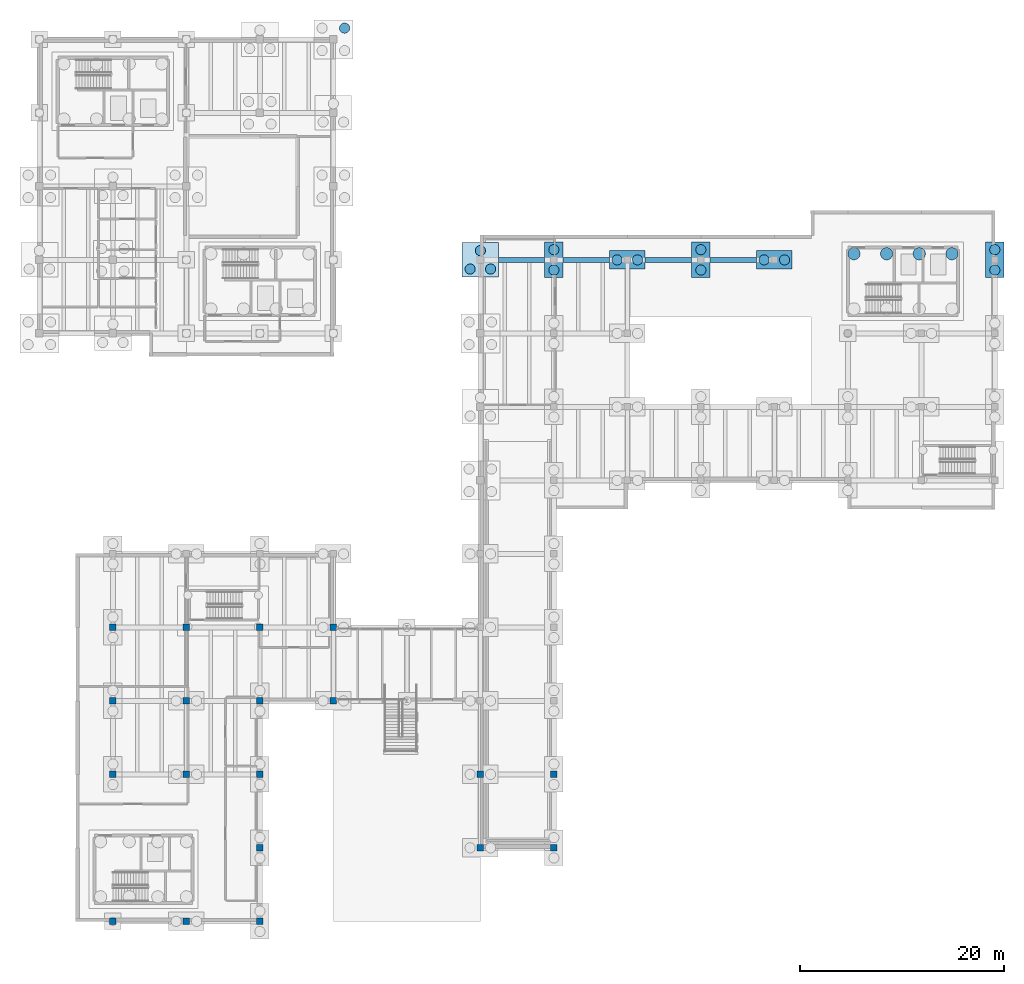
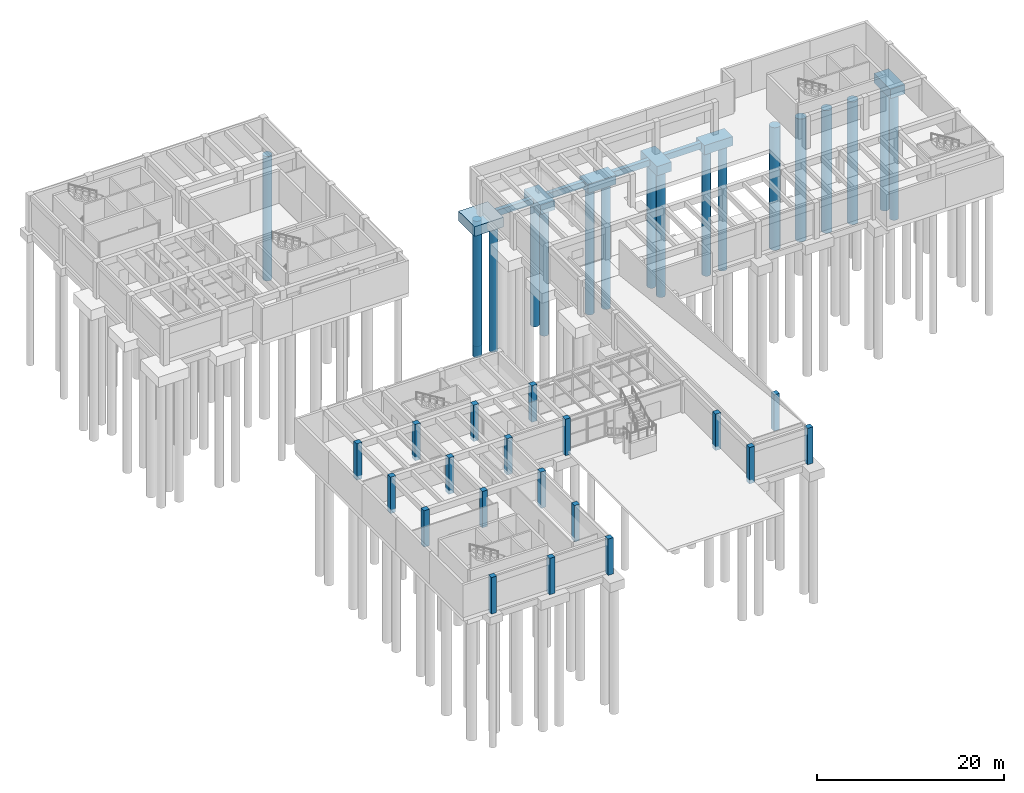
# One storey, part 4 of 28: 19 columns, 18 piles, 10 footings.
"""IFC4 building model written with IfcOpenShell, lengths in metres."""

from ifc_helpers import new_model, si_unit, direction, frame, origin, origin_2d, place, context, subcontext, project, spatial, rectangle, circle, extrude, material, material_profile, profile_set, type_object, element, save


model = new_model("IFC4")

# Units and contexts
model_context = context("Model", 3, precision=1e-05, world=origin(), true_north=direction((0.0, 1.0)))
body_context = subcontext(model_context, "Body", "Model", "MODEL_VIEW")
ifc_project = project(units=[si_unit("LENGTHUNIT", "METRE"), si_unit("AREAUNIT", "SQUARE_METRE"), si_unit("VOLUMEUNIT", "CUBIC_METRE"), si_unit("PLANEANGLEUNIT", "RADIAN"), si_unit("MASSUNIT", "GRAM", prefix="KILO")], contexts=[model_context])

# Site, building, storey
site_placement = place(None, origin())
site = spatial("IfcSite", under=ifc_project, at=site_placement, CompositionType="ELEMENT")
building_placement = place(site_placement, origin())
building = spatial("IfcBuilding", under=site, at=building_placement, Name="Bramvelor Terrace Health Centre", CompositionType="ELEMENT")
storey_placement = place(building_placement, frame((0.0, 0.0, -4.5)))
storey = spatial("IfcBuildingStorey", under=building, at=storey_placement, Name="B1", CompositionType="ELEMENT", Elevation=-4.5)

# Footings
ifc_material_1 = material(Name="Concrete C40/50", Category="concrete")
ifc_material_profile_1 = material_profile(ifc_material_1, rectangle(XDim=0.5, YDim=0.800048828125, at=origin_2d()), Name="RC 500x800")
ifc_profile_set_1 = profile_set([ifc_material_profile_1], Name="Concrete C40/50")
footing_type_1 = type_object("IfcFootingType", Name="FTG-FB-500x800", PredefinedType="FOOTING_BEAM", material=ifc_profile_set_1)
footing_1_placement = place(storey_placement, frame((45.0, 93.60009765625, -0.89990234375), z_axis=(1.0, 0.0, 0.0), x_axis=(0.0, 1.0, 0.0)))
element("IfcFooting", 1, at=footing_1_placement, inside=storey, type_object=footing_type_1, Name="B1 Ground Tie Beam X (43.2, 93.6)", PredefinedType="FOOTING_BEAM", context=body_context, shape_type="SweptSolid", body=[
    extrude(rectangle(XDim=0.5, YDim=0.800048828125, at=origin_2d()), origin(), (0.0, 0.0, 1.0), 4.5),
])
footing_2_placement = place(storey_placement, frame((51.300048828125, 93.60009765625, -0.89990234375), z_axis=(1.0, 0.0, 0.0), x_axis=(0.0, 1.0, 0.0)))
element("IfcFooting", 2, at=footing_2_placement, inside=storey, type_object=footing_type_1, Name="B1 Ground Tie Beam X (50.4, 93.6)", PredefinedType="FOOTING_BEAM", context=body_context, shape_type="SweptSolid", body=[
    extrude(rectangle(XDim=0.5, YDim=0.800048828125, at=origin_2d()), origin(), (0.0, 0.0, 1.0), 4.550048828125),
])
footing_3_placement = place(storey_placement, frame((59.35009765625, 93.60009765625, -0.89990234375), z_axis=(1.0, 0.0, 0.0), x_axis=(0.0, 1.0, 0.0)))
element("IfcFooting", 3, at=footing_3_placement, inside=storey, type_object=footing_type_1, Name="B1 Ground Tie Beam X (57.6, 93.6)", PredefinedType="FOOTING_BEAM", context=body_context, shape_type="SweptSolid", body=[
    extrude(rectangle(XDim=0.5, YDim=0.800048828125, at=origin_2d()), origin(), (0.0, 0.0, 1.0), 4.5498046875),
])
footing_4_placement = place(storey_placement, frame((65.699951171875, 93.60009765625, -0.89990234375), z_axis=(1.0, 0.0, 0.0), x_axis=(0.0, 1.0, 0.0)))
element("IfcFooting", 4, at=footing_4_placement, inside=storey, type_object=footing_type_1, Name="B1 Ground Tie Beam X (64.8, 93.6)", PredefinedType="FOOTING_BEAM", context=body_context, shape_type="SweptSolid", body=[
    extrude(rectangle(XDim=0.5, YDim=0.800048828125, at=origin_2d()), origin(), (0.0, 0.0, 1.0), 4.550048828125),
])
ifc_material_2 = material(Name="Concrete C40/50", Category="concrete")
footing_type_2 = type_object("IfcFootingType", Name="FTG-PC-2PX-1000", PredefinedType="PILE_CAP", material=ifc_material_2)
for number, where, z_axis, x_axis, name in (
    (5, (57.60009765625, 93.60009765625, -1.7001953125), (0.0, 0.0, 1.0), (1.0, 0.0, 0.0), "B1 Pile Cap (57.6, 93.6)"),
    (6, (72.0, 93.60009765625, -1.7001953125), (0.0, 0.0, 1.0), (1.0, 0.0, 0.0), "B1 Pile Cap (72.0, 93.6)"),
):
    element("IfcFooting", number, at=place(storey_placement, frame(where, z_axis=z_axis, x_axis=x_axis)), inside=storey, type_object=footing_type_2, Name=name, PredefinedType="PILE_CAP", context=body_context, shape_type="SweptSolid", body=[
        extrude(rectangle(XDim=3.5, YDim=1.800048828125, at=origin_2d()), origin(), (0.0, 0.0, 1.0), 1.199951171875),
    ])
ifc_material_3 = material(Name="Concrete C40/50", Category="concrete")
footing_type_3 = type_object("IfcFootingType", Name="FTG-PC-2PY-1000", PredefinedType="PILE_CAP", material=ifc_material_3)
for number, where, z_axis, x_axis, name in (
    (7, (50.39990234375, 93.60009765625, -1.7001953125), (0.0, 0.0, 1.0), (1.0, 0.0, 0.0), "B1 Pile Cap (50.4, 93.6)"),
    (8, (64.800048828125, 93.60009765625, -1.7001953125), (0.0, 0.0, 1.0), (1.0, 0.0, 0.0), "B1 Pile Cap (64.8, 93.6)"),
    (9, (93.60009765625, 93.60009765625, -1.7001953125), (0.0, 0.0, 1.0), (1.0, 0.0, 0.0), "B1 Pile Cap (93.6, 93.6)"),
):
    element("IfcFooting", number, at=place(storey_placement, frame(where, z_axis=z_axis, x_axis=x_axis)), inside=storey, type_object=footing_type_3, Name=name, PredefinedType="PILE_CAP", context=body_context, shape_type="SweptSolid", body=[
        extrude(rectangle(XDim=1.800048828125, YDim=3.5, at=origin_2d()), origin(), (0.0, 0.0, 1.0), 1.199951171875),
    ])
ifc_material_4 = material(Name="Concrete C40/50", Category="concrete")
footing_type_4 = type_object("IfcFootingType", Name="FTG-PC-3P-1000", PredefinedType="PILE_CAP", material=ifc_material_4)
footing_5_placement = place(storey_placement, frame((43.199951171875, 93.60009765625, -1.75), z_axis=(0.0, 0.0, 1.0), x_axis=(1.0, 0.0, 0.0)))
element("IfcFooting", 10, at=footing_5_placement, inside=storey, type_object=footing_type_4, Name="B1 Pile Cap (43.2, 93.6)", PredefinedType="PILE_CAP", context=body_context, shape_type="SweptSolid", body=[
    extrude(rectangle(XDim=3.60009765625, YDim=3.39990234375, at=origin_2d()), origin(), (0.0, 0.0, 1.0), 1.25),
])

# Piles
ifc_material_5 = material(Name="Concrete C40/50", Category="concrete")
ifc_material_profile_2 = material_profile(ifc_material_5, circle(Radius=0.5, at=origin_2d()), Name="BP D1000")
ifc_profile_set_2 = profile_set([ifc_material_profile_2], Name="Concrete C40/50")
pile_type_1 = type_object("IfcPileType", Name="PILE-BP-1000", PredefinedType="BORED", material=ifc_profile_set_2)
pile_placement = place(storey_placement, frame((29.89990234375, 116.300048828125, -1.72998046875), z_axis=(0.0, 0.0, -1.0), x_axis=(1.0, 0.0, 0.0)))
element("IfcPile", 11, at=pile_placement, inside=storey, type_object=pile_type_1, Name="B1 Bored Pile (29.9, 116.3)", PredefinedType="BORED", context=body_context, shape_type="SweptSolid", body=[
    extrude(circle(Radius=0.5, at=origin_2d()), origin(), (0.0, 0.0, 1.0), 16.27001953125),
])
for number, where, z_axis, x_axis, name in (
    (12, (42.199951171875, 92.699951171875, -1.6298828125), (0.0, 0.0, -1.0), (1.0, 0.0, 0.0), "B1 Bored Pile (42.2, 92.7)"),
    (13, (44.199951171875, 92.699951171875, -1.6298828125), (0.0, 0.0, -1.0), (1.0, 0.0, 0.0), "B1 Bored Pile (44.2, 92.7)"),
    (14, (43.199951171875, 94.5, -1.6298828125), (0.0, 0.0, -1.0), (1.0, 0.0, 0.0), "B1 Bored Pile (43.2, 94.5)"),
):
    element("IfcPile", number, at=place(storey_placement, frame(where, z_axis=z_axis, x_axis=x_axis)), inside=storey, type_object=pile_type_1, Name=name, PredefinedType="BORED", context=body_context, shape_type="SweptSolid", body=[
        extrude(circle(Radius=0.5, at=origin_2d()), origin(), (0.0, 0.0, 1.0), 16.3701171875),
    ])
for number, where, z_axis, x_axis, name in (
    (15, (50.39990234375, 92.60009765625, -1.580078125), (0.0, 0.0, -1.0), (1.0, 0.0, 0.0), "B1 Bored Pile (50.4, 92.6)"),
    (16, (50.39990234375, 94.60009765625, -1.580078125), (0.0, 0.0, -1.0), (1.0, 0.0, 0.0), "B1 Bored Pile (50.4, 94.6)"),
    (17, (56.60009765625, 93.60009765625, -1.580078125), (0.0, 0.0, -1.0), (1.0, 0.0, 0.0), "B1 Bored Pile (56.6, 93.6)"),
    (18, (58.60009765625, 93.60009765625, -1.580078125), (0.0, 0.0, -1.0), (1.0, 0.0, 0.0), "B1 Bored Pile (58.6, 93.6)"),
    (19, (64.800048828125, 92.60009765625, -1.580078125), (0.0, 0.0, -1.0), (1.0, 0.0, 0.0), "B1 Bored Pile (64.8, 92.6)"),
    (20, (64.800048828125, 94.60009765625, -1.580078125), (0.0, 0.0, -1.0), (1.0, 0.0, 0.0), "B1 Bored Pile (64.8, 94.6)"),
    (21, (71.0, 93.60009765625, -1.580078125), (0.0, 0.0, -1.0), (1.0, 0.0, 0.0), "B1 Bored Pile (71.0, 93.6)"),
    (22, (73.0, 93.60009765625, -1.580078125), (0.0, 0.0, -1.0), (1.0, 0.0, 0.0), "B1 Bored Pile (73.0, 93.6)"),
    (23, (93.60009765625, 92.60009765625, -1.580078125), (0.0, 0.0, -1.0), (1.0, 0.0, 0.0), "B1 Bored Pile (93.6, 92.6)"),
    (24, (93.60009765625, 94.60009765625, -1.580078125), (0.0, 0.0, -1.0), (1.0, 0.0, 0.0), "B1 Bored Pile (93.6, 94.6)"),
):
    element("IfcPile", number, at=place(storey_placement, frame(where, z_axis=z_axis, x_axis=x_axis)), inside=storey, type_object=pile_type_1, Name=name, PredefinedType="BORED", context=body_context, shape_type="SweptSolid", body=[
        extrude(circle(Radius=0.5, at=origin_2d()), origin(), (0.0, 0.0, 1.0), 16.419921875),
    ])
ifc_material_6 = material(Name="Concrete C40/50", Category="concrete")
ifc_material_profile_3 = material_profile(ifc_material_6, circle(Radius=0.60009765625, at=origin_2d()), Name="BP D1200")
ifc_profile_set_3 = profile_set([ifc_material_profile_3], Name="Concrete C40/50")
pile_type_2 = type_object("IfcPileType", Name="PILE-BP-1200", PredefinedType="BORED", material=ifc_profile_set_3)
for number, where, z_axis, x_axis, name in (
    (25, (79.800048828125, 94.199951171875, -1.97998046875), (0.0, 0.0, -1.0), (1.0, 0.0, 0.0), "C4 Bored Pile 2"),
    (26, (83.0, 94.199951171875, -1.97998046875), (0.0, 0.0, -1.0), (1.0, 0.0, 0.0), "C4 Bored Pile 4"),
    (27, (86.199951171875, 94.199951171875, -1.97998046875), (0.0, 0.0, -1.0), (1.0, 0.0, 0.0), "C4 Bored Pile 6"),
    (28, (89.39990234375, 94.199951171875, -1.97998046875), (0.0, 0.0, -1.0), (1.0, 0.0, 0.0), "C4 Bored Pile 8"),
):
    element("IfcPile", number, at=place(storey_placement, frame(where, z_axis=z_axis, x_axis=x_axis)), inside=storey, type_object=pile_type_2, Name=name, PredefinedType="BORED", context=body_context, shape_type="SweptSolid", body=[
        extrude(circle(Radius=0.60009765625, at=origin_2d()), origin(), (0.0, 0.0, 1.0), 16.02001953125),
    ])

# Columns
ifc_material_7 = material(Name="Concrete C40/50", Category="concrete")
ifc_material_profile_4 = material_profile(ifc_material_7, rectangle(XDim=0.64990234375, YDim=0.64990234375, at=origin_2d()), Name="RC 650x650")
ifc_profile_set_4 = profile_set([ifc_material_profile_4], Name="Concrete C40/50")
column_type = type_object("IfcColumnType", Name="COL-RC-650", PredefinedType="COLUMN", material=ifc_profile_set_4)
for number, where, z_axis, x_axis, name in (
    (29, (7.199951171875, 28.800048828125, -0.5), (0.0, 0.0, 1.0), (1.0, 0.0, 0.0), "B1 Column (7.2, 28.8)"),
    (30, (7.199951171875, 43.199951171875, -0.5), (0.0, 0.0, 1.0), (1.0, 0.0, 0.0), "B1 Column (7.2, 43.2)"),
    (31, (7.199951171875, 50.39990234375, -0.5), (0.0, 0.0, 1.0), (1.0, 0.0, 0.0), "B1 Column (7.2, 50.4)"),
    (32, (7.199951171875, 57.60009765625, -0.5), (0.0, 0.0, 1.0), (1.0, 0.0, 0.0), "B1 Column (7.2, 57.6)"),
    (33, (14.39990234375, 28.800048828125, -0.5), (0.0, 0.0, 1.0), (1.0, 0.0, 0.0), "B1 Column (14.4, 28.8)"),
    (34, (14.39990234375, 43.199951171875, -0.5), (0.0, 0.0, 1.0), (1.0, 0.0, 0.0), "B1 Column (14.4, 43.2)"),
    (35, (14.39990234375, 50.39990234375, -0.5), (0.0, 0.0, 1.0), (1.0, 0.0, 0.0), "B1 Column (14.4, 50.4)"),
    (36, (14.39990234375, 57.60009765625, -0.5), (0.0, 0.0, 1.0), (1.0, 0.0, 0.0), "B1 Column (14.4, 57.6)"),
    (37, (21.60009765625, 28.800048828125, -0.5), (0.0, 0.0, 1.0), (1.0, 0.0, 0.0), "B1 Column (21.6, 28.8)"),
    (38, (21.60009765625, 36.0, -0.5), (0.0, 0.0, 1.0), (1.0, 0.0, 0.0), "B1 Column (21.6, 36.0)"),
    (39, (21.60009765625, 43.199951171875, -0.5), (0.0, 0.0, 1.0), (1.0, 0.0, 0.0), "B1 Column (21.6, 43.2)"),
    (40, (21.60009765625, 50.39990234375, -0.5), (0.0, 0.0, 1.0), (1.0, 0.0, 0.0), "B1 Column (21.6, 50.4)"),
    (41, (21.60009765625, 57.60009765625, -0.5), (0.0, 0.0, 1.0), (1.0, 0.0, 0.0), "B1 Column (21.6, 57.6)"),
    (42, (28.800048828125, 50.39990234375, -0.5), (0.0, 0.0, 1.0), (1.0, 0.0, 0.0), "B1 Column (28.8, 50.4)"),
    (43, (28.800048828125, 57.60009765625, -0.5), (0.0, 0.0, 1.0), (1.0, 0.0, 0.0), "B1 Column (28.8, 57.6)"),
    (44, (43.199951171875, 36.0, -0.5), (0.0, 0.0, 1.0), (1.0, 0.0, 0.0), "B1 Column (43.2, 36.0)"),
    (45, (43.199951171875, 43.199951171875, -0.5), (0.0, 0.0, 1.0), (1.0, 0.0, 0.0), "B1 Column (43.2, 43.2)"),
    (46, (50.39990234375, 36.0, -0.5), (0.0, 0.0, 1.0), (1.0, 0.0, 0.0), "B1 Column (50.4, 36.0)"),
    (47, (50.39990234375, 43.199951171875, -0.5), (0.0, 0.0, 1.0), (1.0, 0.0, 0.0), "B1 Column (50.4, 43.2)"),
):
    element("IfcColumn", number, at=place(storey_placement, frame(where, z_axis=z_axis, x_axis=x_axis)), inside=storey, type_object=column_type, Name=name, PredefinedType="COLUMN", context=body_context, shape_type="SweptSolid", body=[
        extrude(rectangle(XDim=0.64990234375, YDim=0.64990234375, at=origin_2d()), origin(), (0.0, 0.0, 1.0), 4.75),
    ])

save(model, "model.ifc")
